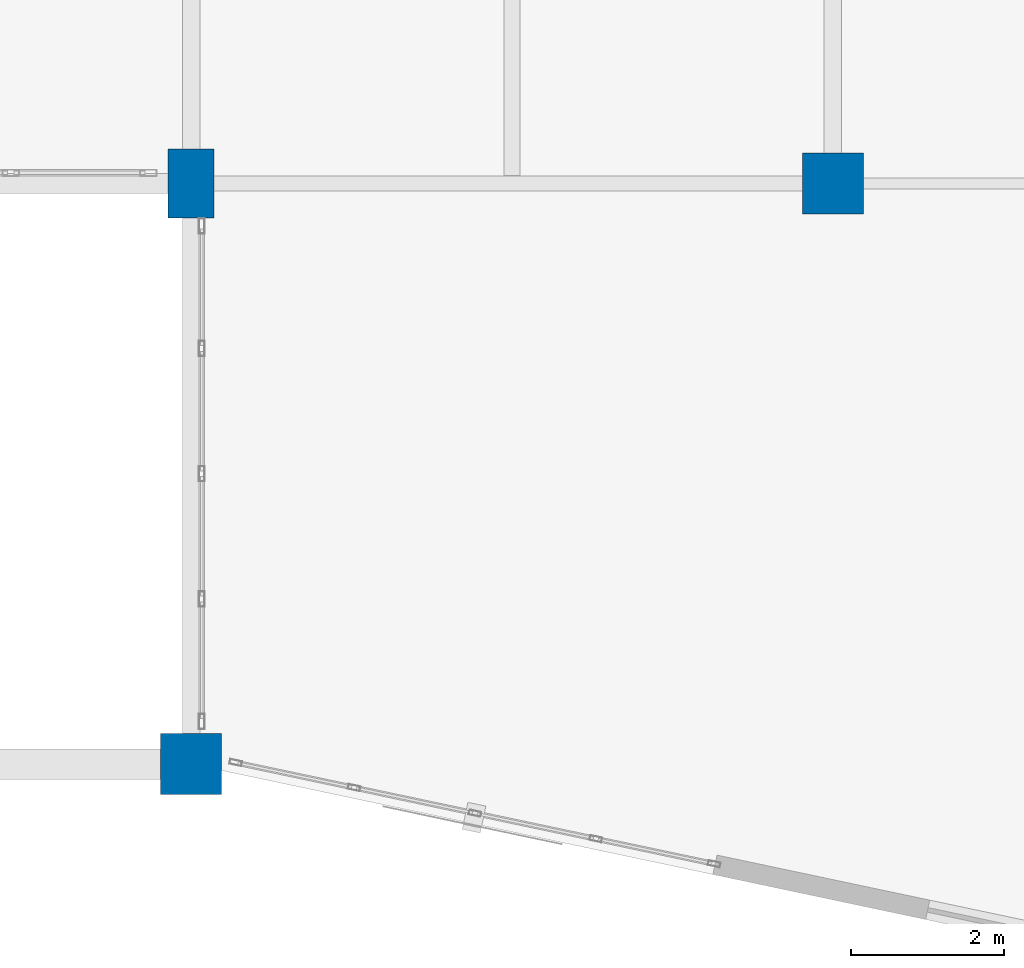
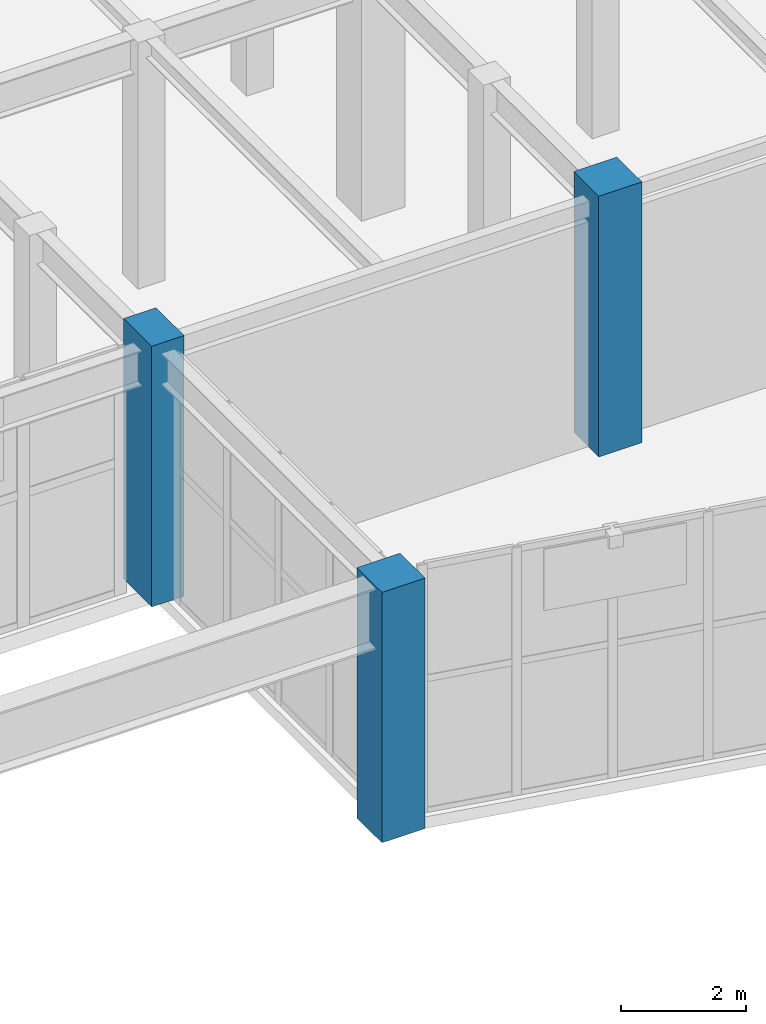
# One storey, part 2 of 128: 3 columns.
"""IFC4 building model written with IfcOpenShell, lengths in metres."""

from ifc_helpers import new_model, si_unit, direction, frame, origin, origin_2d, place, context, subcontext, project, spatial, rectangle, extrude, material, material_profile, profile_set, type_object, element, save


model = new_model("IFC4")

# Units and contexts
model_context = context("Model", 3, precision=1e-05, world=origin(), true_north=direction((0.0, 1.0)))
body_context = subcontext(model_context, "Body", "Model", "MODEL_VIEW")
ifc_project = project(units=[si_unit("LENGTHUNIT", "METRE"), si_unit("AREAUNIT", "SQUARE_METRE"), si_unit("VOLUMEUNIT", "CUBIC_METRE"), si_unit("PLANEANGLEUNIT", "RADIAN"), si_unit("MASSUNIT", "GRAM", prefix="KILO")], contexts=[model_context])

# Site, building, storey
site_placement = place(None, origin())
site = spatial("IfcSite", under=ifc_project, at=site_placement, CompositionType="ELEMENT")
building_placement = place(site_placement, origin())
building = spatial("IfcBuilding", under=site, at=building_placement, Name="Xicomal Pleat Aquarium", CompositionType="ELEMENT")
storey_placement = place(building_placement, frame((0.0, 0.0, 5.39990234375)))
storey = spatial("IfcBuildingStorey", under=building, at=storey_placement, Name="L02", CompositionType="ELEMENT", Elevation=5.39990234375)

# Columns
ifc_material_1 = material(Name="Concrete C40/50", Category="concrete")
ifc_material_profile_1 = material_profile(ifc_material_1, rectangle(XDim=0.60009765625, YDim=0.89990234375, at=origin_2d()), Name="RC 600x900")
ifc_profile_set_1 = profile_set([ifc_material_profile_1], Name="Concrete C40/50")
column_type_1 = type_object("IfcColumnType", Name="COL-RC-600x900", PredefinedType="COLUMN", material=ifc_profile_set_1)
column_1_placement = place(storey_placement, frame((52.199951171875, 30.39990234375, 0.0), z_axis=(0.0, 0.0, 1.0), x_axis=(1.0, 0.0, 0.0)))
element("IfcColumn", 1, at=column_1_placement, inside=storey, type_object=column_type_1, Name="L02 column 07/E", PredefinedType="COLUMN", context=body_context, shape_type="SweptSolid", body=[
    extrude(rectangle(XDim=0.60009765625, YDim=0.89990234375, at=origin_2d()), origin(), (0.0, 0.0, 1.0), 5.10009765625),
])
ifc_material_2 = material(Name="Concrete C40/50", Category="concrete")
ifc_material_profile_2 = material_profile(ifc_material_2, rectangle(XDim=0.800048828125, YDim=0.800048828125, at=origin_2d()), Name="RC 800x800")
ifc_profile_set_2 = profile_set([ifc_material_profile_2], Name="Concrete C40/50")
column_type_2 = type_object("IfcColumnType", Name="COL-RC-800x800", PredefinedType="COLUMN", material=ifc_profile_set_2)
column_2_placement = place(storey_placement, frame((52.199951171875, 22.800048828125, 0.0), z_axis=(0.0, 0.0, 1.0), x_axis=(1.0, 0.0, 0.0)))
element("IfcColumn", 2, at=column_2_placement, inside=storey, type_object=column_type_2, Name="L02 column 07/D", PredefinedType="COLUMN", context=body_context, shape_type="SweptSolid", body=[
    extrude(rectangle(XDim=0.800048828125, YDim=0.800048828125, at=origin_2d()), origin(), (0.0, 0.0, 1.0), 4.900146484375),
])
column_3_placement = place(storey_placement, frame((60.60009765625, 30.39990234375, 0.0), z_axis=(0.0, 0.0, 1.0), x_axis=(1.0, 0.0, 0.0)))
element("IfcColumn", 3, at=column_3_placement, inside=storey, type_object=column_type_2, Name="L02 column 08/E", PredefinedType="COLUMN", context=body_context, shape_type="SweptSolid", body=[
    extrude(rectangle(XDim=0.800048828125, YDim=0.800048828125, at=origin_2d()), origin(), (0.0, 0.0, 1.0), 5.10009765625),
])

save(model, "model.ifc")
